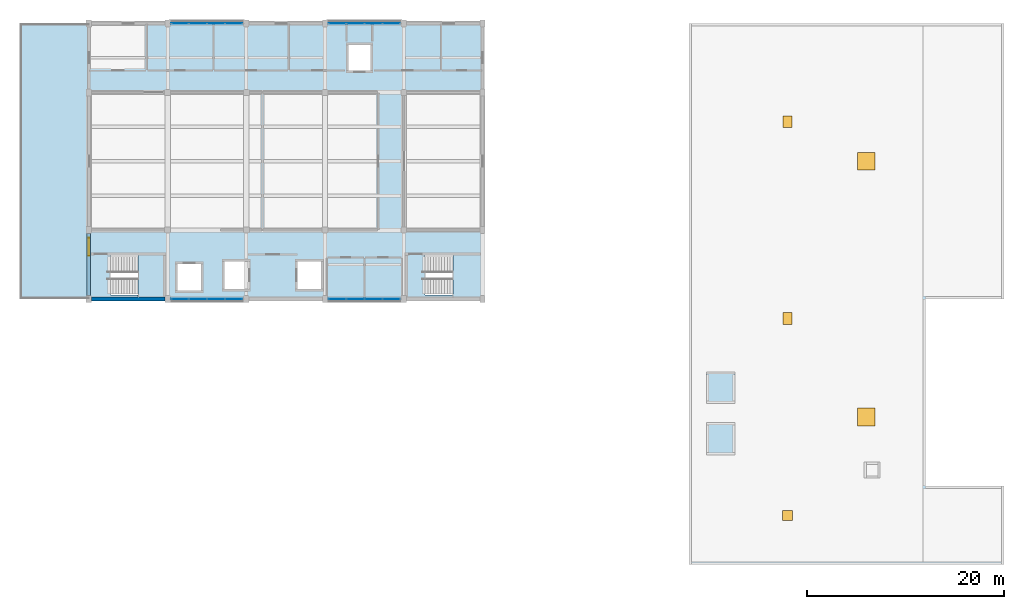
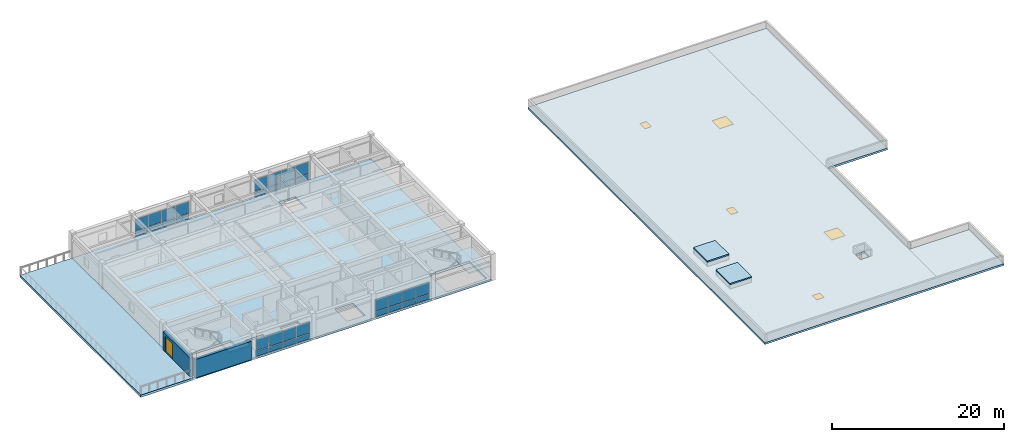
# One storey, part 5 of 10: 32 plates, 7 slabs, 4 doors, 2 walls, 2 windows, 6 openings, 6 elements without a shape of their own.
"""IFC4 building model written with IfcOpenShell, lengths in metres."""

import ifcopenshell
import ifcopenshell.guid

model = None  # the IFC model being written
_history = None  # IfcOwnerHistory: only IFC2X3 demands one
_inside = {}  # id of a spatial element -> (the spatial element, [elements in it])
_under = {}  # id of a project, library or spatial element -> (it, [spatial elements below it])
_declared = {}  # id of a project -> (the project, [libraries it declares])
_typed = {}  # id of a type object -> (the type object, [elements of that type])
_made_of = {}  # id of a material, layer set ... -> (it, [elements and type objects made of it])


def new_model(schema):
    """Start an empty IFC model of exactly this schema.

    Asked for "IFC4X3", IfcOpenShell would pick the latest addendum, in which some entities
    have other attributes; the version numbers below select the first issue.
    IFC2X3 requires an IfcOwnerHistory on every rooted entity: one is made here for all.
    """
    global model, _history
    if schema == "IFC4X3":
        model = ifcopenshell.file(schema_version=(4, 3, 0, 0))
    else:
        model = ifcopenshell.file(schema=schema)
    _inside.clear()
    _under.clear()
    _declared.clear()
    _typed.clear()
    _made_of.clear()
    _history = None
    if model.schema == "IFC2X3":
        org = make("IfcOrganization", Name="unknown")
        user = make(
            "IfcPersonAndOrganization",
            ThePerson=make("IfcPerson", FamilyName="unknown"),
            TheOrganization=org,
        )
        app = make(
            "IfcApplication",
            ApplicationDeveloper=org,
            Version="unknown",
            ApplicationFullName="unknown",
            ApplicationIdentifier="unknown",
        )
        _history = make(
            "IfcOwnerHistory",
            OwningUser=user,
            OwningApplication=app,
            ChangeAction="ADDED",
            CreationDate=0,
        )
    return model


def make(cls, **values):
    """One entity of the class cls with the attributes given. An attribute that is None is left unset."""
    return model.create_entity(
        cls, **{name: value for name, value in values.items() if value is not None}
    )


def rooted(cls, **values):
    """An entity with a GlobalId (a new one), such as an element, a storey or a relation."""
    return make(cls, GlobalId=ifcopenshell.guid.new(), OwnerHistory=_history, **values)


def si_unit(unit_type, name, prefix=None):
    """IfcSIUnit, for example si_unit("LENGTHUNIT", "METRE", prefix="MILLI")."""
    return make("IfcSIUnit", UnitType=unit_type, Prefix=prefix, Name=name)


def assignment(units):
    """IfcUnitAssignment: the units of a project."""
    return None if units is None else make("IfcUnitAssignment", Units=units)


def point(xyz):
    """IfcCartesianPoint."""
    return None if xyz is None else make("IfcCartesianPoint", Coordinates=xyz)


def direction(xyz):
    """IfcDirection."""
    return None if xyz is None else make("IfcDirection", DirectionRatios=xyz)


def frame(location, z_axis=None, x_axis=None):
    """IfcAxis2Placement3D, a coordinate frame: its origin and axes. An axis left out is left unset."""
    return make(
        "IfcAxis2Placement3D",
        Location=point(location),
        Axis=direction(z_axis),
        RefDirection=direction(x_axis),
    )


def frame_2d(location, x_axis=None):
    """IfcAxis2Placement2D, a coordinate frame in the plane: its origin and x axis."""
    return make(
        "IfcAxis2Placement2D", Location=point(location), RefDirection=direction(x_axis)
    )


def origin():
    """The frame at (0, 0, 0) with its axes left unset."""
    return frame((0.0, 0.0, 0.0))


def origin_2d():
    """The frame at (0, 0) in the plane with its x axis left unset."""
    return frame_2d((0.0, 0.0))


def place(relative_to, where):
    """IfcLocalPlacement: puts the frame where relative to a parent placement (None: the world)."""
    return make(
        "IfcLocalPlacement", PlacementRelTo=relative_to, RelativePlacement=where
    )


def context(
    kind, dimensions, precision=None, world=None, true_north=None, identifier=None
):
    """IfcGeometricRepresentationContext, for example the 3D "Model" context."""
    return make(
        "IfcGeometricRepresentationContext",
        ContextIdentifier=identifier,
        ContextType=kind,
        CoordinateSpaceDimension=dimensions,
        Precision=precision,
        WorldCoordinateSystem=world,
        TrueNorth=true_north,
    )


def subcontext(parent, identifier, kind, view, scale=None):
    """IfcGeometricRepresentationSubContext, for example "Body" below "Model"."""
    return make(
        "IfcGeometricRepresentationSubContext",
        ContextIdentifier=identifier,
        ContextType=kind,
        ParentContext=parent,
        TargetScale=scale,
        TargetView=view,
    )


def project(units=None, contexts=None):
    """IfcProject with its units and contexts."""
    return rooted(
        "IfcProject",
        Name="project",
        RepresentationContexts=contexts,
        UnitsInContext=assignment(units),
    )


def spatial(cls, under=None, at=None, **own):
    """A site, building, storey or space (cls), placed at a placement, below another one or the project."""
    s = rooted(cls, ObjectPlacement=at, **own)
    if under is not None:
        _under.setdefault(under.id(), (under, []))[1].append(s)
    return s


def polyline(points):
    """IfcPolyline through the points."""
    return make("IfcPolyline", Points=[point(p) for p in points])


def profile(cls, at=None, kind="AREA", **sizes):
    """A parametric profile (cls). Its sizes go by their IFC names, for example OverallWidth=200.0."""
    return make(cls, ProfileType=kind, Position=at, **sizes)


def rectangle(**sizes):
    """IfcRectangleProfileDef."""
    return profile("IfcRectangleProfileDef", **sizes)


def outline(outer, holes=None, kind="AREA"):
    """IfcArbitraryClosedProfileDef: a profile drawn as a closed curve; with holes, ...WithVoids."""
    if holes is None:
        return make("IfcArbitraryClosedProfileDef", ProfileType=kind, OuterCurve=outer)
    return make(
        "IfcArbitraryProfileDefWithVoids",
        ProfileType=kind,
        OuterCurve=outer,
        InnerCurves=holes,
    )


def extrude(swept, where, along, depth):
    """IfcExtrudedAreaSolid: the profile swept, set in the frame where, extruded along a direction by depth."""
    return make(
        "IfcExtrudedAreaSolid",
        SweptArea=swept,
        Position=where,
        ExtrudedDirection=direction(along),
        Depth=depth,
    )


def shape(context_of_items, identifier, shape_type, items):
    """IfcShapeRepresentation: the items that make up one representation, for example the "Body"."""
    return make(
        "IfcShapeRepresentation",
        ContextOfItems=context_of_items,
        RepresentationIdentifier=identifier,
        RepresentationType=shape_type,
        Items=items,
    )


def material(Name=None, Category=None):
    """IfcMaterial."""
    return make("IfcMaterial", Name=Name, Category=Category)


def layer(
    of_material, thickness, ventilated=None, Name=None, Category=None, Priority=None
):
    """IfcMaterialLayer: one layer of a wall or slab, of a material (None: an air gap)."""
    return make(
        "IfcMaterialLayer",
        Material=of_material,
        LayerThickness=thickness,
        IsVentilated=ventilated,
        Name=Name,
        Category=Category,
        Priority=Priority,
    )


def layer_set(layers, Name=None):
    """IfcMaterialLayerSet."""
    return make("IfcMaterialLayerSet", MaterialLayers=layers, LayerSetName=Name)


def made_of(thing, what):
    """Note that an element or type object is made of a material, layer set ...; save() writes the relation."""
    if what is not None:
        _made_of.setdefault(what.id(), (what, []))[1].append(thing)
    return thing


def type_object(cls, material=None, **own):
    """A type object (cls), such as IfcWallType, which elements share."""
    return made_of(rooted(cls, **own), material)


def element(
    cls,
    number,
    at=None,
    inside=None,
    cuts=None,
    type_object=None,
    material=None,
    context=None,
    identifier="Body",
    shape_type=None,
    held_by="IfcProductDefinitionShape",
    body=None,
    shapes=None,
    **own,
):
    """One element of the class cls, such as IfcWall. Its Tag is "e" and its number.

    at: its placement. inside: the storey or other place that contains it. cuts: it is an
    opening in that element (IfcRelVoidsElement). A single representation is given by context,
    identifier, shape_type and body (its items); several are given by shapes. held_by: the class
    of the entity that holds the representations. save() writes the other relations.
    """
    e = rooted(cls, Tag="e%d" % number, ObjectPlacement=at, **own)
    if body is not None:
        shapes = [shape(context, identifier, shape_type, body)]
    if shapes is not None:
        e.Representation = make(held_by, Representations=shapes)
    if inside is not None:
        _inside.setdefault(inside.id(), (inside, []))[1].append(e)
    if cuts is not None:
        rooted(
            "IfcRelVoidsElement", RelatingBuildingElement=cuts, RelatedOpeningElement=e
        )
    if type_object is not None:
        _typed.setdefault(type_object.id(), (type_object, []))[1].append(e)
    return made_of(e, material)


def fill(opening, filler):
    """IfcRelFillsElement: the door or window that sits in an opening."""
    return rooted(
        "IfcRelFillsElement",
        RelatingOpeningElement=opening,
        RelatedBuildingElement=filler,
    )


def aggregate(whole, parts):
    """IfcRelAggregates: a whole, such as a stair, and the parts it consists of."""
    return rooted("IfcRelAggregates", RelatingObject=whole, RelatedObjects=parts)


def save(model, path):
    """Write the relations noted so far, then the file.

    IfcRelAggregates (storeys below a building ...), IfcRelContainedInSpatialStructure (elements
    in a storey), IfcRelDefinesByType, IfcRelAssociatesMaterial and IfcRelDeclares: one each for
    every whole, place, type object, material and project.
    """
    for whole, parts in _under.values():
        aggregate(whole, parts)
    for where, things in _inside.values():
        rooted(
            "IfcRelContainedInSpatialStructure",
            RelatedElements=things,
            RelatingStructure=where,
        )
    for kind, things in _typed.values():
        rooted("IfcRelDefinesByType", RelatedObjects=things, RelatingType=kind)
    for what, things in _made_of.values():
        rooted("IfcRelAssociatesMaterial", RelatedObjects=things, RelatingMaterial=what)
    for by, libraries in _declared.values():
        rooted("IfcRelDeclares", RelatingContext=by, RelatedDefinitions=libraries)
    model.write(path)


model = new_model("IFC4")

# Units and contexts
model_context = context("Model", 3, precision=1e-05, world=origin(), true_north=direction((0.0, 1.0)))
body_context = subcontext(model_context, "Body", "Model", "MODEL_VIEW")
ifc_project = project(units=[si_unit("LENGTHUNIT", "METRE"), si_unit("AREAUNIT", "SQUARE_METRE"), si_unit("VOLUMEUNIT", "CUBIC_METRE"), si_unit("PLANEANGLEUNIT", "RADIAN"), si_unit("MASSUNIT", "GRAM", prefix="KILO")], contexts=[model_context])

# Site, building, storey
site_placement = place(None, origin())
site = spatial("IfcSite", under=ifc_project, at=site_placement, CompositionType="ELEMENT")
building_placement = place(site_placement, origin())
building = spatial("IfcBuilding", under=site, at=building_placement, Name="Naurynzar Civic Courthouse", CompositionType="ELEMENT")
storey_placement = place(building_placement, frame((0.0, 0.0, 33.300048828125)))
storey = spatial("IfcBuildingStorey", under=building, at=storey_placement, Name="L09", CompositionType="ELEMENT", Elevation=33.300048828125)

# Curtain wall, plates
ifc_material_1 = material(Name="Aluminium 6063-T6", Category="aluminium")
ifc_layer_1 = layer(ifc_material_1, 0.159912109375)
ifc_layer_set_1 = layer_set([ifc_layer_1], Name="CW-UNIT-1800")
curtain_wall_type = type_object("IfcCurtainWallType", Name="CW-UNIT-1800", PredefinedType="NOTDEFINED", material=ifc_layer_set_1)
curtain_wall_1_placement = place(storey_placement, origin())
curtain_wall_1 = element("IfcCurtainWall", 1, at=curtain_wall_1_placement, inside=storey, type_object=curtain_wall_type, Name="V2 unitised curtain wall 57 L09", PredefinedType="NOTDEFINED")
ifc_material_2 = material(Name="Tempered Laminated Low-E Glass", Category="glass")
ifc_layer_2 = layer(ifc_material_2, 0.035888671875)
ifc_layer_set_2 = layer_set([ifc_layer_2], Name="CWP-IGU-36")
plate_type = type_object("IfcPlateType", Name="CWP-IGU-36", PredefinedType="CURTAIN_PANEL", material=ifc_layer_set_2)
plate_1_placement = place(storey_placement, frame((78.26123046875, 72.0, 0.06982421875), z_axis=(0.0, 0.0, 1.0), x_axis=(1.0, 0.0, 0.0)))
plate_1 = element("IfcPlate", 2, at=plate_1_placement, type_object=plate_type, Name="CW-02 panel 1.1", PredefinedType="CURTAIN_PANEL", context=body_context, shape_type="SweptSolid", body=[
    extrude(rectangle(XDim=1.732421875, YDim=0.035888671875, at=origin_2d()), origin(), (0.0, 0.0, 1.0), 0.7451171875),
])
plate_2_placement = place(storey_placement, frame((78.26123046875, 72.0, 0.885009765625), z_axis=(0.0, 0.0, 1.0), x_axis=(1.0, 0.0, 0.0)))
plate_2 = element("IfcPlate", 3, at=plate_2_placement, type_object=plate_type, Name="CW-02 panel 1.2", PredefinedType="CURTAIN_PANEL", context=body_context, shape_type="SweptSolid", body=[
    extrude(rectangle(XDim=1.732421875, YDim=0.035888671875, at=origin_2d()), origin(), (0.0, 0.0, 1.0), 1.64501953125),
])
plate_3_placement = place(storey_placement, frame((80.081298828125, 72.0, 0.06982421875), z_axis=(0.0, 0.0, 1.0), x_axis=(1.0, 0.0, 0.0)))
plate_3 = element("IfcPlate", 4, at=plate_3_placement, type_object=plate_type, Name="CW-02 panel 2.1", PredefinedType="CURTAIN_PANEL", context=body_context, shape_type="SweptSolid", body=[
    extrude(rectangle(XDim=1.767578125, YDim=0.035888671875, at=origin_2d()), origin(), (0.0, 0.0, 1.0), 0.7451171875),
])
plate_4_placement = place(storey_placement, frame((80.081298828125, 72.0, 0.885009765625), z_axis=(0.0, 0.0, 1.0), x_axis=(1.0, 0.0, 0.0)))
plate_4 = element("IfcPlate", 5, at=plate_4_placement, type_object=plate_type, Name="CW-02 panel 2.2", PredefinedType="CURTAIN_PANEL", context=body_context, shape_type="SweptSolid", body=[
    extrude(rectangle(XDim=1.767578125, YDim=0.035888671875, at=origin_2d()), origin(), (0.0, 0.0, 1.0), 1.64501953125),
])
plate_5_placement = place(storey_placement, frame((81.918701171875, 72.0, 0.06982421875), z_axis=(0.0, 0.0, 1.0), x_axis=(1.0, 0.0, 0.0)))
plate_5 = element("IfcPlate", 6, at=plate_5_placement, type_object=plate_type, Name="CW-02 panel 3.1", PredefinedType="CURTAIN_PANEL", context=body_context, shape_type="SweptSolid", body=[
    extrude(rectangle(XDim=1.767578125, YDim=0.035888671875, at=origin_2d()), origin(), (0.0, 0.0, 1.0), 0.7451171875),
])
plate_6_placement = place(storey_placement, frame((81.918701171875, 72.0, 0.885009765625), z_axis=(0.0, 0.0, 1.0), x_axis=(1.0, 0.0, 0.0)))
plate_6 = element("IfcPlate", 7, at=plate_6_placement, type_object=plate_type, Name="CW-02 panel 3.2", PredefinedType="CURTAIN_PANEL", context=body_context, shape_type="SweptSolid", body=[
    extrude(rectangle(XDim=1.767578125, YDim=0.035888671875, at=origin_2d()), origin(), (0.0, 0.0, 1.0), 1.64501953125),
])
plate_7_placement = place(storey_placement, frame((83.73876953125, 72.0, 0.06982421875), z_axis=(0.0, 0.0, 1.0), x_axis=(1.0, 0.0, 0.0)))
plate_7 = element("IfcPlate", 8, at=plate_7_placement, type_object=plate_type, Name="CW-02 panel 4.1", PredefinedType="CURTAIN_PANEL", context=body_context, shape_type="SweptSolid", body=[
    extrude(rectangle(XDim=1.732421875, YDim=0.035888671875, at=origin_2d()), origin(), (0.0, 0.0, 1.0), 0.7451171875),
])
plate_8_placement = place(storey_placement, frame((83.73876953125, 72.0, 0.885009765625), z_axis=(0.0, 0.0, 1.0), x_axis=(1.0, 0.0, 0.0)))
plate_8 = element("IfcPlate", 9, at=plate_8_placement, type_object=plate_type, Name="CW-02 panel 4.2", PredefinedType="CURTAIN_PANEL", context=body_context, shape_type="SweptSolid", body=[
    extrude(rectangle(XDim=1.732421875, YDim=0.035888671875, at=origin_2d()), origin(), (0.0, 0.0, 1.0), 1.64501953125),
])
aggregate(curtain_wall_1, [plate_1, plate_2, plate_3, plate_4, plate_5, plate_6, plate_7, plate_8])

curtain_wall_2_placement = place(storey_placement, origin())
curtain_wall_2 = element("IfcCurtainWall", 10, at=curtain_wall_2_placement, inside=storey, type_object=curtain_wall_type, Name="V2 unitised curtain wall 58 L09", PredefinedType="NOTDEFINED")
plate_9_placement = place(storey_placement, frame((94.26123046875, 72.0, 0.06982421875), z_axis=(0.0, 0.0, 1.0), x_axis=(1.0, 0.0, 0.0)))
plate_9 = element("IfcPlate", 11, at=plate_9_placement, type_object=plate_type, Name="CW-02 panel 1.1", PredefinedType="CURTAIN_PANEL", context=body_context, shape_type="SweptSolid", body=[
    extrude(rectangle(XDim=1.732421875, YDim=0.035888671875, at=origin_2d()), origin(), (0.0, 0.0, 1.0), 0.7451171875),
])
plate_10_placement = place(storey_placement, frame((94.26123046875, 72.0, 0.885009765625), z_axis=(0.0, 0.0, 1.0), x_axis=(1.0, 0.0, 0.0)))
plate_10 = element("IfcPlate", 12, at=plate_10_placement, type_object=plate_type, Name="CW-02 panel 1.2", PredefinedType="CURTAIN_PANEL", context=body_context, shape_type="SweptSolid", body=[
    extrude(rectangle(XDim=1.732421875, YDim=0.035888671875, at=origin_2d()), origin(), (0.0, 0.0, 1.0), 1.64501953125),
])
plate_11_placement = place(storey_placement, frame((96.081298828125, 72.0, 0.06982421875), z_axis=(0.0, 0.0, 1.0), x_axis=(1.0, 0.0, 0.0)))
plate_11 = element("IfcPlate", 13, at=plate_11_placement, type_object=plate_type, Name="CW-02 panel 2.1", PredefinedType="CURTAIN_PANEL", context=body_context, shape_type="SweptSolid", body=[
    extrude(rectangle(XDim=1.767578125, YDim=0.035888671875, at=origin_2d()), origin(), (0.0, 0.0, 1.0), 0.7451171875),
])
plate_12_placement = place(storey_placement, frame((96.081298828125, 72.0, 0.885009765625), z_axis=(0.0, 0.0, 1.0), x_axis=(1.0, 0.0, 0.0)))
plate_12 = element("IfcPlate", 14, at=plate_12_placement, type_object=plate_type, Name="CW-02 panel 2.2", PredefinedType="CURTAIN_PANEL", context=body_context, shape_type="SweptSolid", body=[
    extrude(rectangle(XDim=1.767578125, YDim=0.035888671875, at=origin_2d()), origin(), (0.0, 0.0, 1.0), 1.64501953125),
])
plate_13_placement = place(storey_placement, frame((97.918701171875, 72.0, 0.06982421875), z_axis=(0.0, 0.0, 1.0), x_axis=(1.0, 0.0, 0.0)))
plate_13 = element("IfcPlate", 15, at=plate_13_placement, type_object=plate_type, Name="CW-02 panel 3.1", PredefinedType="CURTAIN_PANEL", context=body_context, shape_type="SweptSolid", body=[
    extrude(rectangle(XDim=1.767578125, YDim=0.035888671875, at=origin_2d()), origin(), (0.0, 0.0, 1.0), 0.7451171875),
])
plate_14_placement = place(storey_placement, frame((97.918701171875, 72.0, 0.885009765625), z_axis=(0.0, 0.0, 1.0), x_axis=(1.0, 0.0, 0.0)))
plate_14 = element("IfcPlate", 16, at=plate_14_placement, type_object=plate_type, Name="CW-02 panel 3.2", PredefinedType="CURTAIN_PANEL", context=body_context, shape_type="SweptSolid", body=[
    extrude(rectangle(XDim=1.767578125, YDim=0.035888671875, at=origin_2d()), origin(), (0.0, 0.0, 1.0), 1.64501953125),
])
plate_15_placement = place(storey_placement, frame((99.73876953125, 72.0, 0.06982421875), z_axis=(0.0, 0.0, 1.0), x_axis=(1.0, 0.0, 0.0)))
plate_15 = element("IfcPlate", 17, at=plate_15_placement, type_object=plate_type, Name="CW-02 panel 4.1", PredefinedType="CURTAIN_PANEL", context=body_context, shape_type="SweptSolid", body=[
    extrude(rectangle(XDim=1.732421875, YDim=0.035888671875, at=origin_2d()), origin(), (0.0, 0.0, 1.0), 0.7451171875),
])
plate_16_placement = place(storey_placement, frame((99.73876953125, 72.0, 0.885009765625), z_axis=(0.0, 0.0, 1.0), x_axis=(1.0, 0.0, 0.0)))
plate_16 = element("IfcPlate", 18, at=plate_16_placement, type_object=plate_type, Name="CW-02 panel 4.2", PredefinedType="CURTAIN_PANEL", context=body_context, shape_type="SweptSolid", body=[
    extrude(rectangle(XDim=1.732421875, YDim=0.035888671875, at=origin_2d()), origin(), (0.0, 0.0, 1.0), 1.64501953125),
])
aggregate(curtain_wall_2, [plate_9, plate_10, plate_11, plate_12, plate_13, plate_14, plate_15, plate_16])

curtain_wall_3_placement = place(storey_placement, origin())
curtain_wall_3 = element("IfcCurtainWall", 19, at=curtain_wall_3_placement, inside=storey, type_object=curtain_wall_type, Name="V2 unitised curtain wall 59 L09", PredefinedType="NOTDEFINED")
plate_17_placement = place(storey_placement, frame((99.73876953125, 44.0, 0.06982421875), z_axis=(0.0, 0.0, 1.0), x_axis=(-1.0, 0.0, 0.0)))
plate_17 = element("IfcPlate", 20, at=plate_17_placement, type_object=plate_type, Name="CW-02 panel 1.1", PredefinedType="CURTAIN_PANEL", context=body_context, shape_type="SweptSolid", body=[
    extrude(rectangle(XDim=1.732421875, YDim=0.035888671875, at=origin_2d()), origin(), (0.0, 0.0, 1.0), 0.7451171875),
])
plate_18_placement = place(storey_placement, frame((99.73876953125, 44.0, 0.885009765625), z_axis=(0.0, 0.0, 1.0), x_axis=(-1.0, 0.0, 0.0)))
plate_18 = element("IfcPlate", 21, at=plate_18_placement, type_object=plate_type, Name="CW-02 panel 1.2", PredefinedType="CURTAIN_PANEL", context=body_context, shape_type="SweptSolid", body=[
    extrude(rectangle(XDim=1.732421875, YDim=0.035888671875, at=origin_2d()), origin(), (0.0, 0.0, 1.0), 1.64501953125),
])
plate_19_placement = place(storey_placement, frame((97.918701171875, 44.0, 0.06982421875), z_axis=(0.0, 0.0, 1.0), x_axis=(-1.0, 0.0, 0.0)))
plate_19 = element("IfcPlate", 22, at=plate_19_placement, type_object=plate_type, Name="CW-02 panel 2.1", PredefinedType="CURTAIN_PANEL", context=body_context, shape_type="SweptSolid", body=[
    extrude(rectangle(XDim=1.767578125, YDim=0.035888671875, at=origin_2d()), origin(), (0.0, 0.0, 1.0), 0.7451171875),
])
plate_20_placement = place(storey_placement, frame((97.918701171875, 44.0, 0.885009765625), z_axis=(0.0, 0.0, 1.0), x_axis=(-1.0, 0.0, 0.0)))
plate_20 = element("IfcPlate", 23, at=plate_20_placement, type_object=plate_type, Name="CW-02 panel 2.2", PredefinedType="CURTAIN_PANEL", context=body_context, shape_type="SweptSolid", body=[
    extrude(rectangle(XDim=1.767578125, YDim=0.035888671875, at=origin_2d()), origin(), (0.0, 0.0, 1.0), 1.64501953125),
])
plate_21_placement = place(storey_placement, frame((96.081298828125, 44.0, 0.06982421875), z_axis=(0.0, 0.0, 1.0), x_axis=(-1.0, 0.0, 0.0)))
plate_21 = element("IfcPlate", 24, at=plate_21_placement, type_object=plate_type, Name="CW-02 panel 3.1", PredefinedType="CURTAIN_PANEL", context=body_context, shape_type="SweptSolid", body=[
    extrude(rectangle(XDim=1.767578125, YDim=0.035888671875, at=origin_2d()), origin(), (0.0, 0.0, 1.0), 0.7451171875),
])
plate_22_placement = place(storey_placement, frame((96.081298828125, 44.0, 0.885009765625), z_axis=(0.0, 0.0, 1.0), x_axis=(-1.0, 0.0, 0.0)))
plate_22 = element("IfcPlate", 25, at=plate_22_placement, type_object=plate_type, Name="CW-02 panel 3.2", PredefinedType="CURTAIN_PANEL", context=body_context, shape_type="SweptSolid", body=[
    extrude(rectangle(XDim=1.767578125, YDim=0.035888671875, at=origin_2d()), origin(), (0.0, 0.0, 1.0), 1.64501953125),
])
plate_23_placement = place(storey_placement, frame((94.26123046875, 44.0, 0.06982421875), z_axis=(0.0, 0.0, 1.0), x_axis=(-1.0, 0.0, 0.0)))
plate_23 = element("IfcPlate", 26, at=plate_23_placement, type_object=plate_type, Name="CW-02 panel 4.1", PredefinedType="CURTAIN_PANEL", context=body_context, shape_type="SweptSolid", body=[
    extrude(rectangle(XDim=1.732421875, YDim=0.035888671875, at=origin_2d()), origin(), (0.0, 0.0, 1.0), 0.7451171875),
])
plate_24_placement = place(storey_placement, frame((94.26123046875, 44.0, 0.885009765625), z_axis=(0.0, 0.0, 1.0), x_axis=(-1.0, 0.0, 0.0)))
plate_24 = element("IfcPlate", 27, at=plate_24_placement, type_object=plate_type, Name="CW-02 panel 4.2", PredefinedType="CURTAIN_PANEL", context=body_context, shape_type="SweptSolid", body=[
    extrude(rectangle(XDim=1.732421875, YDim=0.035888671875, at=origin_2d()), origin(), (0.0, 0.0, 1.0), 1.64501953125),
])
aggregate(curtain_wall_3, [plate_17, plate_18, plate_19, plate_20, plate_21, plate_22, plate_23, plate_24])

curtain_wall_4_placement = place(storey_placement, origin())
curtain_wall_4 = element("IfcCurtainWall", 28, at=curtain_wall_4_placement, inside=storey, type_object=curtain_wall_type, Name="V2 unitised curtain wall 60 L09", PredefinedType="NOTDEFINED")
plate_25_placement = place(storey_placement, frame((83.73876953125, 44.0, 0.06982421875), z_axis=(0.0, 0.0, 1.0), x_axis=(-1.0, 0.0, 0.0)))
plate_25 = element("IfcPlate", 29, at=plate_25_placement, type_object=plate_type, Name="CW-02 panel 1.1", PredefinedType="CURTAIN_PANEL", context=body_context, shape_type="SweptSolid", body=[
    extrude(rectangle(XDim=1.732421875, YDim=0.035888671875, at=origin_2d()), origin(), (0.0, 0.0, 1.0), 0.7451171875),
])
plate_26_placement = place(storey_placement, frame((83.73876953125, 44.0, 0.885009765625), z_axis=(0.0, 0.0, 1.0), x_axis=(-1.0, 0.0, 0.0)))
plate_26 = element("IfcPlate", 30, at=plate_26_placement, type_object=plate_type, Name="CW-02 panel 1.2", PredefinedType="CURTAIN_PANEL", context=body_context, shape_type="SweptSolid", body=[
    extrude(rectangle(XDim=1.732421875, YDim=0.035888671875, at=origin_2d()), origin(), (0.0, 0.0, 1.0), 1.64501953125),
])
plate_27_placement = place(storey_placement, frame((81.918701171875, 44.0, 0.06982421875), z_axis=(0.0, 0.0, 1.0), x_axis=(-1.0, 0.0, 0.0)))
plate_27 = element("IfcPlate", 31, at=plate_27_placement, type_object=plate_type, Name="CW-02 panel 2.1", PredefinedType="CURTAIN_PANEL", context=body_context, shape_type="SweptSolid", body=[
    extrude(rectangle(XDim=1.767578125, YDim=0.035888671875, at=origin_2d()), origin(), (0.0, 0.0, 1.0), 0.7451171875),
])
plate_28_placement = place(storey_placement, frame((81.918701171875, 44.0, 0.885009765625), z_axis=(0.0, 0.0, 1.0), x_axis=(-1.0, 0.0, 0.0)))
plate_28 = element("IfcPlate", 32, at=plate_28_placement, type_object=plate_type, Name="CW-02 panel 2.2", PredefinedType="CURTAIN_PANEL", context=body_context, shape_type="SweptSolid", body=[
    extrude(rectangle(XDim=1.767578125, YDim=0.035888671875, at=origin_2d()), origin(), (0.0, 0.0, 1.0), 1.64501953125),
])
plate_29_placement = place(storey_placement, frame((80.081298828125, 44.0, 0.06982421875), z_axis=(0.0, 0.0, 1.0), x_axis=(-1.0, 0.0, 0.0)))
plate_29 = element("IfcPlate", 33, at=plate_29_placement, type_object=plate_type, Name="CW-02 panel 3.1", PredefinedType="CURTAIN_PANEL", context=body_context, shape_type="SweptSolid", body=[
    extrude(rectangle(XDim=1.767578125, YDim=0.035888671875, at=origin_2d()), origin(), (0.0, 0.0, 1.0), 0.7451171875),
])
plate_30_placement = place(storey_placement, frame((80.081298828125, 44.0, 0.885009765625), z_axis=(0.0, 0.0, 1.0), x_axis=(-1.0, 0.0, 0.0)))
plate_30 = element("IfcPlate", 34, at=plate_30_placement, type_object=plate_type, Name="CW-02 panel 3.2", PredefinedType="CURTAIN_PANEL", context=body_context, shape_type="SweptSolid", body=[
    extrude(rectangle(XDim=1.767578125, YDim=0.035888671875, at=origin_2d()), origin(), (0.0, 0.0, 1.0), 1.64501953125),
])
plate_31_placement = place(storey_placement, frame((78.26123046875, 44.0, 0.06982421875), z_axis=(0.0, 0.0, 1.0), x_axis=(-1.0, 0.0, 0.0)))
plate_31 = element("IfcPlate", 35, at=plate_31_placement, type_object=plate_type, Name="CW-02 panel 4.1", PredefinedType="CURTAIN_PANEL", context=body_context, shape_type="SweptSolid", body=[
    extrude(rectangle(XDim=1.732421875, YDim=0.035888671875, at=origin_2d()), origin(), (0.0, 0.0, 1.0), 0.7451171875),
])
plate_32_placement = place(storey_placement, frame((78.26123046875, 44.0, 0.885009765625), z_axis=(0.0, 0.0, 1.0), x_axis=(-1.0, 0.0, 0.0)))
plate_32 = element("IfcPlate", 36, at=plate_32_placement, type_object=plate_type, Name="CW-02 panel 4.2", PredefinedType="CURTAIN_PANEL", context=body_context, shape_type="SweptSolid", body=[
    extrude(rectangle(XDim=1.732421875, YDim=0.035888671875, at=origin_2d()), origin(), (0.0, 0.0, 1.0), 1.64501953125),
])
aggregate(curtain_wall_4, [plate_25, plate_26, plate_27, plate_28, plate_29, plate_30, plate_31, plate_32])

# Slabs
ifc_material_3 = material(Name="Concrete C40/50", Category="concrete")
ifc_layer_3 = layer(ifc_material_3, 0.22998046875)
ifc_layer_set_3 = layer_set([ifc_layer_3], Name="ROOF-CRWN-230")
slab_type_1 = type_object("IfcSlabType", Name="ROOF-CRWN-230", PredefinedType="ROOF", material=ifc_layer_set_3)
slab_1_placement = place(storey_placement, frame((0.0, 0.0, 0.800048828125)))
element("IfcSlab", 37, at=slab_1_placement, inside=storey, type_object=slab_type_1, Name="Lift LP-05 overrun cap slab", PredefinedType="ROOF", context=body_context, shape_type="SweptSolid", body=[
    extrude(outline(polyline([(131.75, 33.39990234375), (134.64990234375, 33.39990234375), (134.64990234375, 36.60009765625), (131.75, 36.60009765625), (131.75, 33.39990234375)])), origin(), (0.0, 0.0, 1.0), 0.179931640625),
])
slab_2_placement = place(storey_placement, frame((0.0, 0.0, 0.800048828125)))
element("IfcSlab", 38, at=slab_2_placement, inside=storey, type_object=slab_type_1, Name="Lift LP-06 overrun cap slab", PredefinedType="ROOF", context=body_context, shape_type="SweptSolid", body=[
    extrude(outline(polyline([(131.75, 28.14990234375), (134.64990234375, 28.14990234375), (134.64990234375, 31.449951171875), (131.75, 31.449951171875), (131.75, 28.14990234375)])), origin(), (0.0, 0.0, 1.0), 0.179931640625),
])

# Slab, openings, doors, windows
ifc_material_4 = material(Name="Concrete C40/50", Category="concrete")
ifc_layer_4 = layer(ifc_material_4, 0.27001953125)
ifc_layer_set_4 = layer_set([ifc_layer_4], Name="ROOF-FLAT-270")
slab_type_2 = type_object("IfcSlabType", Name="ROOF-FLAT-270", PredefinedType="ROOF", material=ifc_layer_set_4)
slab_3_placement = place(storey_placement, frame((0.0, 0.0, -0.27001953125)))
slab_3 = element("IfcSlab", 39, at=slab_3_placement, inside=storey, type_object=slab_type_2, Name="V5 Criminal Courts main roof slab", PredefinedType="ROOF", context=body_context, shape_type="SweptSolid", body=[
    extrude(outline(polyline([(130.0, 17.0), (162.0, 17.0), (162.0, 25.0), (154.0, 25.0), (154.0, 44.0), (162.0, 44.0), (162.0, 72.0), (130.0, 72.0), (130.0, 17.0)]), holes=[polyline([(148.0, 26.0), (149.199951171875, 26.0), (149.199951171875, 27.199951171875), (148.0, 27.199951171875), (148.0, 26.0)])]), origin(), (0.0, 0.0, 1.0), 0.27001953125),
])
opening_1_placement = place(slab_3_placement, frame((148.0, 32.0, 0.0)))
opening_1 = element("IfcOpeningElement", 40, at=opening_1_placement, cuts=slab_3, Name="Opening SK-03", PredefinedType="OPENING", context=body_context, shape_type="SweptSolid", body=[
    extrude(rectangle(XDim=1.800048828125, YDim=1.800048828125, at=origin_2d()), origin(), (0.0, 0.0, 1.0), 0.27001953125),
])
opening_2_placement = place(slab_3_placement, frame((148.0, 58.0, 0.0)))
opening_2 = element("IfcOpeningElement", 41, at=opening_2_placement, cuts=slab_3, Name="Opening SK-03", PredefinedType="OPENING", context=body_context, shape_type="SweptSolid", body=[
    extrude(rectangle(XDim=1.800048828125, YDim=1.800048828125, at=origin_2d()), origin(), (0.0, 0.0, 1.0), 0.27001953125),
])
opening_3_placement = place(slab_3_placement, frame((140.0, 42.0, 0.0)))
opening_3 = element("IfcOpeningElement", 42, at=opening_3_placement, cuts=slab_3, Name="Opening RH-02", PredefinedType="OPENING", context=body_context, shape_type="SweptSolid", body=[
    extrude(rectangle(XDim=0.89990234375, YDim=1.199951171875, at=origin_2d()), origin(), (0.0, 0.0, 1.0), 0.27001953125),
])
opening_4_placement = place(slab_3_placement, frame((140.0, 22.0, 0.0)))
opening_4 = element("IfcOpeningElement", 43, at=opening_4_placement, cuts=slab_3, Name="Opening RH-03", PredefinedType="OPENING", context=body_context, shape_type="SweptSolid", body=[
    extrude(rectangle(XDim=1.0, YDim=1.0, at=origin_2d()), origin(), (0.0, 0.0, 1.0), 0.27001953125),
])
opening_5_placement = place(slab_3_placement, frame((140.0, 62.0, 0.0)))
opening_5 = element("IfcOpeningElement", 44, at=opening_5_placement, cuts=slab_3, Name="Opening RH-04", PredefinedType="OPENING", context=body_context, shape_type="SweptSolid", body=[
    extrude(rectangle(XDim=0.89990234375, YDim=1.199951171875, at=origin_2d()), origin(), (0.0, 0.0, 1.0), 0.27001953125),
])
ifc_material_5 = material(Name="Powder-Coated Galvanised Steel", Category="steel")
door_type_1 = type_object("IfcDoorType", Name="HT-ROOF-1000x1000", OperationType="SINGLE_SWING_LEFT", PredefinedType="TRAPDOOR", material=ifc_material_5)
door_1_placement = place(opening_4_placement, frame((0.0, 0.0, 0.219970703125)))
door_1 = element("IfcDoor", 45, at=door_1_placement, inside=storey, type_object=door_type_1, Name="Roof maintenance access hatch RH-03", OperationType="SINGLE_SWING_LEFT", OverallHeight=1.0, OverallWidth=1.0, PredefinedType="TRAPDOOR", context=body_context, shape_type="SweptSolid", body=[
    extrude(rectangle(XDim=1.0, YDim=1.0, at=origin_2d()), origin(), (0.0, 0.0, 1.0), 0.050048828125),
])
fill(opening_4, door_1)
ifc_material_6 = material(Name="Powder-Coated Galvanised Steel", Category="steel")
door_type_2 = type_object("IfcDoorType", Name="HT-ROOF-900x1200", OperationType="SINGLE_SWING_LEFT", PredefinedType="TRAPDOOR", material=ifc_material_6)
door_2_placement = place(opening_3_placement, frame((0.0, 0.0, 0.219970703125)))
door_2 = element("IfcDoor", 46, at=door_2_placement, inside=storey, type_object=door_type_2, Name="Roof maintenance access hatch RH-02", OperationType="SINGLE_SWING_LEFT", OverallHeight=1.199951171875, OverallWidth=0.89990234375, PredefinedType="TRAPDOOR", context=body_context, shape_type="SweptSolid", body=[
    extrude(rectangle(XDim=0.89990234375, YDim=1.199951171875, at=origin_2d()), origin(), (0.0, 0.0, 1.0), 0.050048828125),
])
fill(opening_3, door_2)
door_3_placement = place(opening_5_placement, frame((0.0, 0.0, 0.219970703125)))
door_3 = element("IfcDoor", 47, at=door_3_placement, inside=storey, type_object=door_type_2, Name="Roof maintenance access hatch RH-04", OperationType="SINGLE_SWING_LEFT", OverallHeight=1.199951171875, OverallWidth=0.89990234375, PredefinedType="TRAPDOOR", context=body_context, shape_type="SweptSolid", body=[
    extrude(rectangle(XDim=0.89990234375, YDim=1.199951171875, at=origin_2d()), origin(), (0.0, 0.0, 1.0), 0.050048828125),
])
fill(opening_5, door_3)
ifc_material_7 = material(Name="Tempered Laminated Low-E Glass", Category="glass")
window_type = type_object("IfcWindowType", Name="SKY-COURT-1800x1800", PartitioningType="DOUBLE_PANEL_VERTICAL", PredefinedType="SKYLIGHT", material=ifc_material_7)
window_1_placement = place(opening_1_placement, frame((0.0, 0.0, 0.219970703125)))
window_1 = element("IfcWindow", 48, at=window_1_placement, inside=storey, type_object=window_type, Name="Roof daylight skylight SKY-04", OverallHeight=1.800048828125, OverallWidth=1.800048828125, PartitioningType="SINGLE_PANEL", PredefinedType="SKYLIGHT", context=body_context, shape_type="SweptSolid", body=[
    extrude(rectangle(XDim=1.800048828125, YDim=1.800048828125, at=origin_2d()), origin(), (0.0, 0.0, 1.0), 0.050048828125),
])
fill(opening_1, window_1)
window_2_placement = place(opening_2_placement, frame((0.0, 0.0, 0.219970703125)))
window_2 = element("IfcWindow", 49, at=window_2_placement, inside=storey, type_object=window_type, Name="Roof daylight skylight SKY-05", OverallHeight=1.800048828125, OverallWidth=1.800048828125, PartitioningType="SINGLE_PANEL", PredefinedType="SKYLIGHT", context=body_context, shape_type="SweptSolid", body=[
    extrude(rectangle(XDim=1.800048828125, YDim=1.800048828125, at=origin_2d()), origin(), (0.0, 0.0, 1.0), 0.050048828125),
])
fill(opening_2, window_2)

# Stair, slab
ifc_material_8 = material(Name="Concrete C35/45", Category="concrete")
stair_type = type_object("IfcStairType", Name="STAIR-CORE-1600", PredefinedType="TWO_STRAIGHT_RUN_STAIR", material=ifc_material_8)
stair_1_placement = place(storey_placement, origin())
stair_1 = element("IfcStair", 50, at=stair_1_placement, inside=storey, type_object=stair_type, Name="Enclosed escape stair ST-V2A L09", PredefinedType="TWO_STRAIGHT_RUN_STAIR")
ifc_material_9 = material(Name="Concrete C35/45", Category="concrete")
ifc_layer_5 = layer(ifc_material_9, 0.199951171875)
ifc_layer_set_5 = layer_set([ifc_layer_5], Name="SLB-LAND-200")
slab_type_3 = type_object("IfcSlabType", Name="SLB-LAND-200", PredefinedType="LANDING", material=ifc_layer_set_5)
slab_4_placement = place(storey_placement, frame((0.0, 0.0, 1.675048828125)))
slab_4 = element("IfcSlab", 51, at=slab_4_placement, type_object=slab_type_3, Name="ST-V2A-L09 landing 1", PredefinedType="LANDING", context=body_context, shape_type="SweptSolid", body=[
    extrude(outline(polyline([(73.97998046875, 44.080078125), (76.669921875, 44.080078125), (76.669921875, 48.52001953125), (73.97998046875, 48.52001953125), (73.97998046875, 44.080078125)])), origin(), (0.0, 0.0, 1.0), 0.199951171875),
])
aggregate(stair_1, [slab_4])

stair_2_placement = place(storey_placement, origin())
stair_2 = element("IfcStair", 52, at=stair_2_placement, inside=storey, type_object=stair_type, Name="Enclosed escape stair ST-V2B L09", PredefinedType="TWO_STRAIGHT_RUN_STAIR")
slab_5_placement = place(storey_placement, frame((0.0, 0.0, 1.675048828125)))
slab_5 = element("IfcSlab", 53, at=slab_5_placement, type_object=slab_type_3, Name="ST-V2B-L09 landing 1", PredefinedType="LANDING", context=body_context, shape_type="SweptSolid", body=[
    extrude(outline(polyline([(105.97998046875, 44.080078125), (108.919921875, 44.080078125), (108.919921875, 48.52001953125), (105.97998046875, 48.52001953125), (105.97998046875, 44.080078125)])), origin(), (0.0, 0.0, 1.0), 0.199951171875),
])
aggregate(stair_2, [slab_5])

# Slabs
ifc_material_10 = material(Name="Concrete C35/45", Category="concrete")
ifc_layer_6 = layer(ifc_material_10, 0.280029296875)
ifc_layer_set_6 = layer_set([ifc_layer_6], Name="SLB-PT-280")
slab_type_4 = type_object("IfcSlabType", Name="SLB-PT-280", PredefinedType="FLOOR", material=ifc_layer_set_6)
slab_6_placement = place(storey_placement, frame((0.0, 0.0, -0.280029296875)))
element("IfcSlab", 54, at=slab_6_placement, inside=storey, type_object=slab_type_4, Name="V2 floor slab L09", PredefinedType="FLOOR", context=body_context, shape_type="SweptSolid", body=[
    extrude(outline(polyline([(109.0, 44.0), (109.0, 72.0), (69.0, 72.0), (69.0, 44.0), (109.0, 44.0)]), holes=[polyline([(71.179931640625, 44.39990234375), (76.550048828125, 44.39990234375), (76.550048828125, 48.39990234375), (71.179931640625, 48.39990234375), (71.179931640625, 44.39990234375)]), polyline([(103.179931640625, 44.39990234375), (108.550048828125, 44.39990234375), (108.550048828125, 48.39990234375), (103.179931640625, 48.39990234375), (103.179931640625, 44.39990234375)]), polyline([(78.0, 44.85009765625), (80.39990234375, 44.85009765625), (80.39990234375, 47.550048828125), (78.0, 47.550048828125), (78.0, 44.85009765625)]), polyline([(82.800048828125, 45.0), (85.199951171875, 45.0), (85.199951171875, 47.800048828125), (82.800048828125, 47.800048828125), (82.800048828125, 45.0)]), polyline([(90.199951171875, 45.0), (92.60009765625, 45.0), (92.60009765625, 47.800048828125), (90.199951171875, 47.800048828125), (90.199951171875, 45.0)]), polyline([(95.39990234375, 67.199951171875), (97.60009765625, 67.199951171875), (97.60009765625, 69.800048828125), (95.39990234375, 69.800048828125), (95.39990234375, 67.199951171875)])]), origin(), (0.0, 0.0, 1.0), 0.280029296875),
])
ifc_material_11 = material(Name="Concrete C35/45", Category="concrete")
ifc_layer_7 = layer(ifc_material_11, 0.320068359375)
ifc_layer_set_7 = layer_set([ifc_layer_7], Name="SLB-TERR-320")
slab_type_5 = type_object("IfcSlabType", Name="SLB-TERR-320", PredefinedType="FLOOR", material=ifc_layer_set_7)
slab_7_placement = place(storey_placement, frame((0.0, 0.0, -0.320068359375)))
element("IfcSlab", 55, at=slab_7_placement, inside=storey, type_object=slab_type_5, Name="Planted roof garden deck RG-V2-L09", PredefinedType="FLOOR", context=body_context, shape_type="SweptSolid", body=[
    extrude(outline(polyline([(62.0, 44.0), (69.0, 44.0), (69.0, 72.0), (62.0, 72.0), (62.0, 44.0)])), origin(), (0.0, 0.0, 1.0), 0.320068359375),
])

# Wall, opening, door
ifc_material_12 = material(Name="Concrete C40/50", Category="concrete")
ifc_layer_8 = layer(ifc_material_12, 0.3798828125)
ifc_layer_set_8 = layer_set([ifc_layer_8], Name="WL-RET-380")
wall_type = type_object("IfcWallType", Name="WL-RET-380", PredefinedType="STANDARD", material=ifc_layer_set_8)
wall_1_placement = place(storey_placement, frame((69.0, 44.35009765625, 0.0), z_axis=(0.0, 0.0, 1.0), x_axis=(0.0, 1.0, 0.0)))
wall_1 = element("IfcWall", 56, at=wall_1_placement, inside=storey, type_object=wall_type, Name="V2 exterior wall west L09.1.1", PredefinedType="STANDARD", context=body_context, shape_type="SweptSolid", body=[
    extrude(rectangle(XDim=6.2998046875, YDim=0.3798828125, at=frame_2d((3.14990234375, 0.0))), origin(), (0.0, 0.0, 1.0), 2.599853515625),
])
opening_6_placement = place(wall_1_placement, frame((4.050048828125, 0.0, 0.0)))
opening_6 = element("IfcOpeningElement", 57, at=opening_6_placement, cuts=wall_1, Name="Opening TD-02", PredefinedType="OPENING", context=body_context, shape_type="SweptSolid", body=[
    extrude(rectangle(XDim=1.800048828125, YDim=2.199951171875, at=frame_2d((0.89990234375, 1.10009765625))), frame((0.0, 0.199951171875, 0.0), z_axis=(0.0, -1.0, 0.0), x_axis=(1.0, 0.0, 0.0)), (0.0, 0.0, 1.0), 0.39990234375),
])
ifc_material_13 = material(Name="Aluminium 6063-T6", Category="aluminium")
door_type_3 = type_object("IfcDoorType", Name="DR-TERR-1800x2200", OperationType="DOUBLE_DOOR_SINGLE_SWING", PredefinedType="DOOR", material=ifc_material_13)
door_4_placement = place(opening_6_placement, origin())
door_4 = element("IfcDoor", 58, at=door_4_placement, inside=storey, type_object=door_type_3, Name="Roof garden terrace door TD-02", OperationType="DOUBLE_DOOR_SINGLE_SWING", OverallHeight=2.199951171875, OverallWidth=1.800048828125, PredefinedType="DOOR", context=body_context, shape_type="SweptSolid", body=[
    extrude(rectangle(XDim=1.800048828125, YDim=2.199951171875, at=frame_2d((0.89990234375, 1.10009765625))), frame((0.0, 0.02490234375, 0.0), z_axis=(0.0, -1.0, 0.0), x_axis=(1.0, 0.0, 0.0)), (0.0, 0.0, 1.0), 0.050048828125),
])
fill(opening_6, door_4)

# Wall
wall_2_placement = place(storey_placement, frame((76.72509765625, 44.0, 0.0), z_axis=(0.0, 0.0, 1.0), x_axis=(-1.0, 0.0, 0.0)))
element("IfcWall", 59, at=wall_2_placement, inside=storey, type_object=wall_type, Name="V2 exterior wall south L09.5.1", PredefinedType="STANDARD", context=body_context, shape_type="SweptSolid", body=[
    extrude(rectangle(XDim=7.4501953125, YDim=0.3798828125, at=frame_2d((3.72509765625, 0.0))), origin(), (0.0, 0.0, 1.0), 2.599853515625),
])

save(model, "model.ifc")
